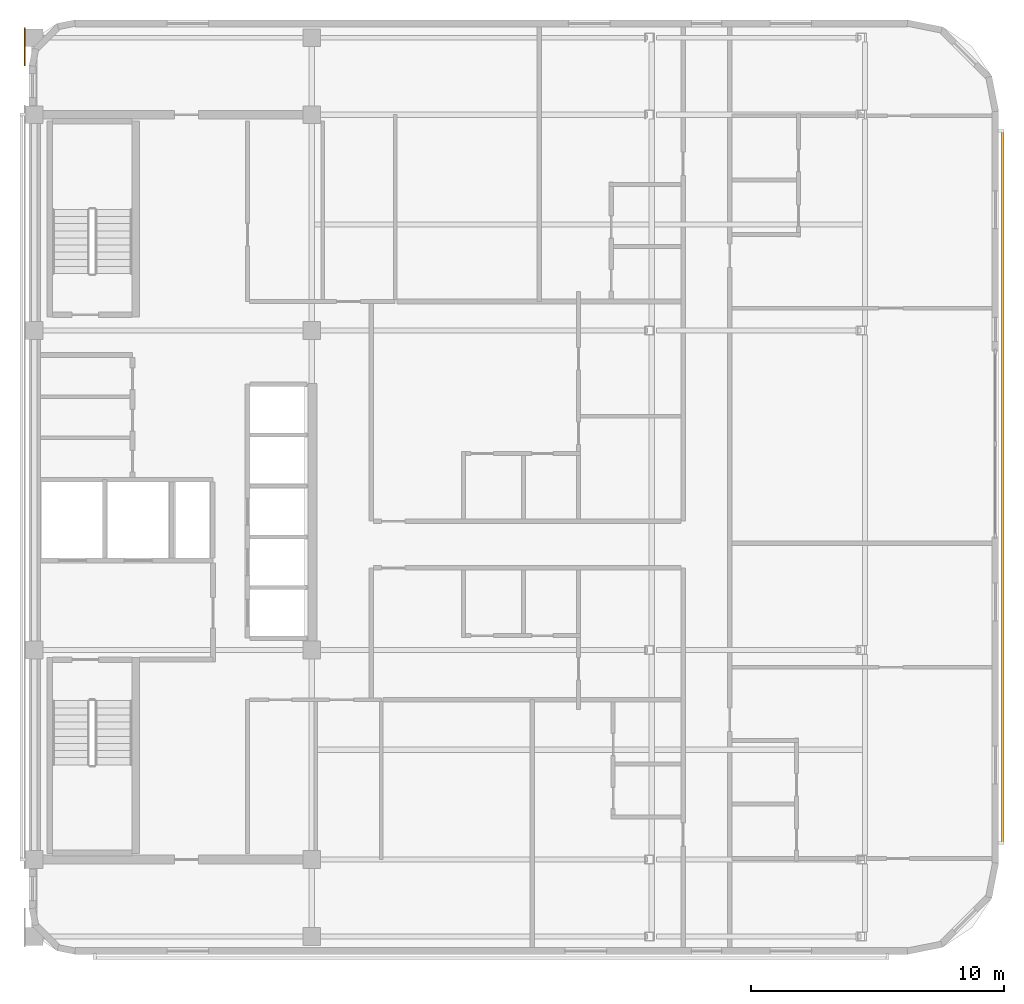
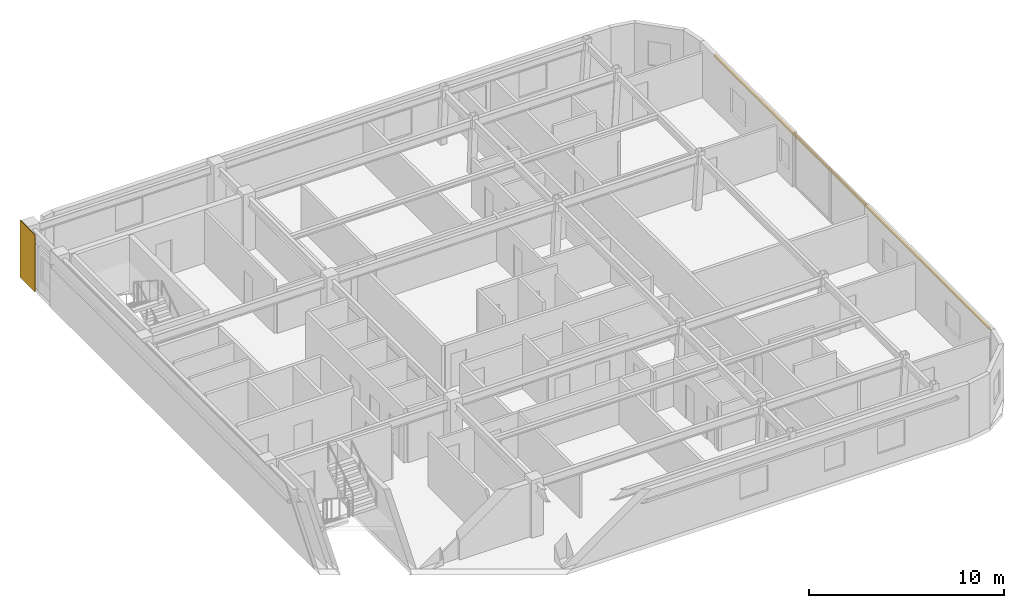
# One storey, part 10 of 10: 1 covering, 1 shading device.
"""IFC4 building model written with IfcOpenShell, lengths in metres."""

from ifc_helpers import new_model, si_unit, direction, frame, origin, origin_2d, place, context, subcontext, project, spatial, rectangle, extrude, material, layer, layer_set, material_profile, profile_set, type_object, element, save


model = new_model("IFC4")

# Units and contexts
model_context = context("Model", 3, precision=1e-05, world=origin(), true_north=direction((0.0, 1.0)))
body_context = subcontext(model_context, "Body", "Model", "MODEL_VIEW")
ifc_project = project(units=[si_unit("LENGTHUNIT", "METRE"), si_unit("AREAUNIT", "SQUARE_METRE"), si_unit("VOLUMEUNIT", "CUBIC_METRE"), si_unit("PLANEANGLEUNIT", "RADIAN"), si_unit("MASSUNIT", "GRAM", prefix="KILO")], contexts=[model_context])

# Site, building, storey
site_placement = place(None, origin())
site = spatial("IfcSite", under=ifc_project, at=site_placement, CompositionType="ELEMENT")
building_placement = place(site_placement, origin())
building = spatial("IfcBuilding", under=site, at=building_placement, Name="Ochreholt Gables", CompositionType="ELEMENT")
storey_placement = place(building_placement, frame((0.0, 0.0, 246.0)))
storey = spatial("IfcBuildingStorey", under=building, at=storey_placement, Name="L64", CompositionType="ELEMENT", Elevation=246.0)

# Covering
ifc_material_1 = material(Name="Glazed Ochre Terracotta Rainscreen Cladding", Category="masonry")
ifc_layer = layer(ifc_material_1, 0.044921875, Name="Glazed Ochre Terracotta Rainscreen Cladding")
ifc_layer_set = layer_set([ifc_layer], Name="Glazed Ochre Terracotta Rainscreen Cladding")
covering_type = type_object("IfcCoveringType", Name="COV-CLAD-TC", PredefinedType="CLADDING", material=ifc_layer_set)
covering_placement = place(storey_placement, frame((23.827880859375, 41.43994140625, 0.010009765625), z_axis=(0.0, 0.0, 1.0), x_axis=(0.0, 1.0, 0.0)))
element("IfcCovering", 1, at=covering_placement, inside=storey, type_object=covering_type, Name="L64 North-West Pier Terracotta Cladding", PredefinedType="CLADDING", context=body_context, shape_type="SweptSolid", body=[
    extrude(rectangle(XDim=1.52001953125, YDim=0.044921875, at=origin_2d()), origin(), (0.0, 0.0, 1.0), 3.580078125),
])

# Shading device
ifc_material_2 = material(Name="Warm Ochre Glazed Terracotta Baguette", Category="masonry")
ifc_material_profile = material_profile(ifc_material_2, rectangle(XDim=0.110107421875, YDim=0.14990234375, at=origin_2d()), Name="TCBAG110X150")
ifc_profile_set = profile_set([ifc_material_profile], Name="Warm Ochre Glazed Terracotta Baguette")
shading_device_type = type_object("IfcShadingDeviceType", Name="SHD-BAGUETTE", PredefinedType="USERDEFINED", material=ifc_profile_set)
shading_device_placement = place(storey_placement, frame((62.550048828125, 9.89990234375, 2.840087890625), z_axis=(0.0, 1.0, 0.0), x_axis=(-1.0, 0.0, 0.0)))
element("IfcShadingDevice", 2, at=shading_device_placement, inside=storey, type_object=shading_device_type, Name="L64 Terracotta Baguette Screen E-1", ObjectType="BAGUETTE", PredefinedType="USERDEFINED", context=body_context, shape_type="SweptSolid", body=[
    extrude(rectangle(XDim=0.110107421875, YDim=0.14990234375, at=origin_2d()), origin(), (0.0, 0.0, 1.0), 28.2001953125),
])

save(model, "model.ifc")
